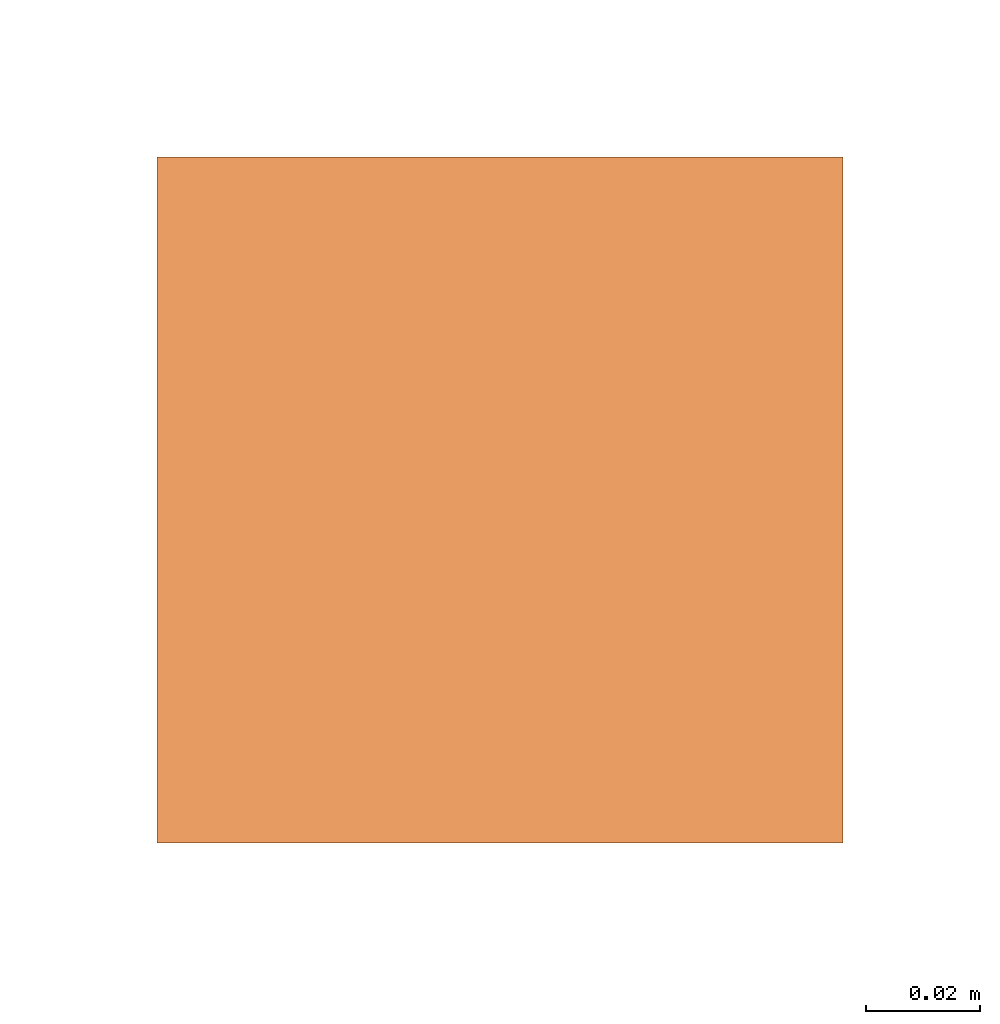
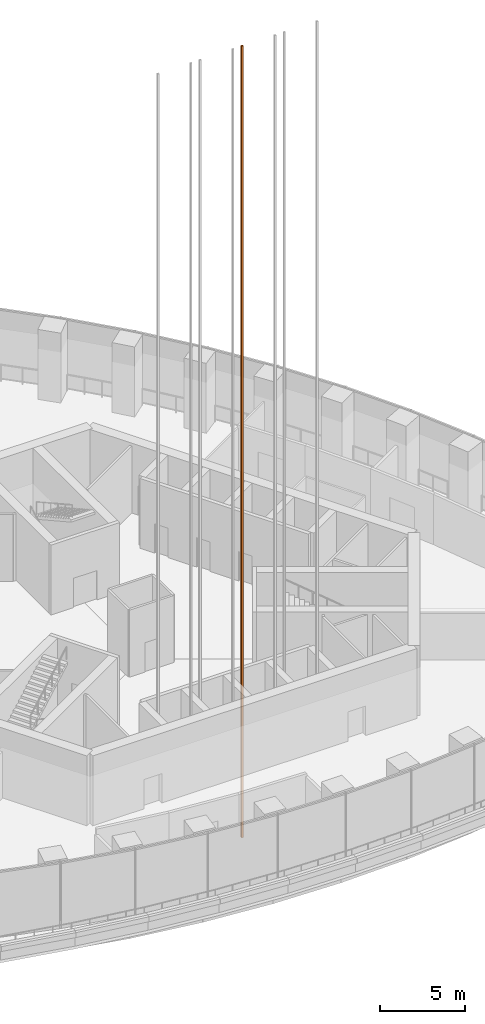
# One storey, part 23 of 26: 1 proxy.
"""IFC4 building model written with IfcOpenShell, lengths in metres."""

import ifcopenshell
import ifcopenshell.guid

model = None  # the IFC model being written
_history = None  # IfcOwnerHistory: only IFC2X3 demands one
_inside = {}  # id of a spatial element -> (the spatial element, [elements in it])
_under = {}  # id of a project, library or spatial element -> (it, [spatial elements below it])
_declared = {}  # id of a project -> (the project, [libraries it declares])
_typed = {}  # id of a type object -> (the type object, [elements of that type])
_made_of = {}  # id of a material, layer set ... -> (it, [elements and type objects made of it])


def new_model(schema):
    """Start an empty IFC model of exactly this schema.

    Asked for "IFC4X3", IfcOpenShell would pick the latest addendum, in which some entities
    have other attributes; the version numbers below select the first issue.
    IFC2X3 requires an IfcOwnerHistory on every rooted entity: one is made here for all.
    """
    global model, _history
    if schema == "IFC4X3":
        model = ifcopenshell.file(schema_version=(4, 3, 0, 0))
    else:
        model = ifcopenshell.file(schema=schema)
    _inside.clear()
    _under.clear()
    _declared.clear()
    _typed.clear()
    _made_of.clear()
    _history = None
    if model.schema == "IFC2X3":
        org = make("IfcOrganization", Name="unknown")
        user = make(
            "IfcPersonAndOrganization",
            ThePerson=make("IfcPerson", FamilyName="unknown"),
            TheOrganization=org,
        )
        app = make(
            "IfcApplication",
            ApplicationDeveloper=org,
            Version="unknown",
            ApplicationFullName="unknown",
            ApplicationIdentifier="unknown",
        )
        _history = make(
            "IfcOwnerHistory",
            OwningUser=user,
            OwningApplication=app,
            ChangeAction="ADDED",
            CreationDate=0,
        )
    return model


def make(cls, **values):
    """One entity of the class cls with the attributes given. An attribute that is None is left unset."""
    return model.create_entity(
        cls, **{name: value for name, value in values.items() if value is not None}
    )


def rooted(cls, **values):
    """An entity with a GlobalId (a new one), such as an element, a storey or a relation."""
    return make(cls, GlobalId=ifcopenshell.guid.new(), OwnerHistory=_history, **values)


def si_unit(unit_type, name, prefix=None):
    """IfcSIUnit, for example si_unit("LENGTHUNIT", "METRE", prefix="MILLI")."""
    return make("IfcSIUnit", UnitType=unit_type, Prefix=prefix, Name=name)


def assignment(units):
    """IfcUnitAssignment: the units of a project."""
    return None if units is None else make("IfcUnitAssignment", Units=units)


def point(xyz):
    """IfcCartesianPoint."""
    return None if xyz is None else make("IfcCartesianPoint", Coordinates=xyz)


def direction(xyz):
    """IfcDirection."""
    return None if xyz is None else make("IfcDirection", DirectionRatios=xyz)


def frame(location, z_axis=None, x_axis=None):
    """IfcAxis2Placement3D, a coordinate frame: its origin and axes. An axis left out is left unset."""
    return make(
        "IfcAxis2Placement3D",
        Location=point(location),
        Axis=direction(z_axis),
        RefDirection=direction(x_axis),
    )


def frame_2d(location, x_axis=None):
    """IfcAxis2Placement2D, a coordinate frame in the plane: its origin and x axis."""
    return make(
        "IfcAxis2Placement2D", Location=point(location), RefDirection=direction(x_axis)
    )


def origin():
    """The frame at (0, 0, 0) with its axes left unset."""
    return frame((0.0, 0.0, 0.0))


def origin_2d():
    """The frame at (0, 0) in the plane with its x axis left unset."""
    return frame_2d((0.0, 0.0))


def place(relative_to, where):
    """IfcLocalPlacement: puts the frame where relative to a parent placement (None: the world)."""
    return make(
        "IfcLocalPlacement", PlacementRelTo=relative_to, RelativePlacement=where
    )


def context(
    kind, dimensions, precision=None, world=None, true_north=None, identifier=None
):
    """IfcGeometricRepresentationContext, for example the 3D "Model" context."""
    return make(
        "IfcGeometricRepresentationContext",
        ContextIdentifier=identifier,
        ContextType=kind,
        CoordinateSpaceDimension=dimensions,
        Precision=precision,
        WorldCoordinateSystem=world,
        TrueNorth=true_north,
    )


def subcontext(parent, identifier, kind, view, scale=None):
    """IfcGeometricRepresentationSubContext, for example "Body" below "Model"."""
    return make(
        "IfcGeometricRepresentationSubContext",
        ContextIdentifier=identifier,
        ContextType=kind,
        ParentContext=parent,
        TargetScale=scale,
        TargetView=view,
    )


def project(units=None, contexts=None):
    """IfcProject with its units and contexts."""
    return rooted(
        "IfcProject",
        Name="project",
        RepresentationContexts=contexts,
        UnitsInContext=assignment(units),
    )


def spatial(cls, under=None, at=None, **own):
    """A site, building, storey or space (cls), placed at a placement, below another one or the project."""
    s = rooted(cls, ObjectPlacement=at, **own)
    if under is not None:
        _under.setdefault(under.id(), (under, []))[1].append(s)
    return s


def profile(cls, at=None, kind="AREA", **sizes):
    """A parametric profile (cls). Its sizes go by their IFC names, for example OverallWidth=200.0."""
    return make(cls, ProfileType=kind, Position=at, **sizes)


def rectangle(**sizes):
    """IfcRectangleProfileDef."""
    return profile("IfcRectangleProfileDef", **sizes)


def extrude(swept, where, along, depth):
    """IfcExtrudedAreaSolid: the profile swept, set in the frame where, extruded along a direction by depth."""
    return make(
        "IfcExtrudedAreaSolid",
        SweptArea=swept,
        Position=where,
        ExtrudedDirection=direction(along),
        Depth=depth,
    )


def shape(context_of_items, identifier, shape_type, items):
    """IfcShapeRepresentation: the items that make up one representation, for example the "Body"."""
    return make(
        "IfcShapeRepresentation",
        ContextOfItems=context_of_items,
        RepresentationIdentifier=identifier,
        RepresentationType=shape_type,
        Items=items,
    )


def made_of(thing, what):
    """Note that an element or type object is made of a material, layer set ...; save() writes the relation."""
    if what is not None:
        _made_of.setdefault(what.id(), (what, []))[1].append(thing)
    return thing


def element(
    cls,
    number,
    at=None,
    inside=None,
    cuts=None,
    type_object=None,
    material=None,
    context=None,
    identifier="Body",
    shape_type=None,
    held_by="IfcProductDefinitionShape",
    body=None,
    shapes=None,
    **own,
):
    """One element of the class cls, such as IfcWall. Its Tag is "e" and its number.

    at: its placement. inside: the storey or other place that contains it. cuts: it is an
    opening in that element (IfcRelVoidsElement). A single representation is given by context,
    identifier, shape_type and body (its items); several are given by shapes. held_by: the class
    of the entity that holds the representations. save() writes the other relations.
    """
    e = rooted(cls, Tag="e%d" % number, ObjectPlacement=at, **own)
    if body is not None:
        shapes = [shape(context, identifier, shape_type, body)]
    if shapes is not None:
        e.Representation = make(held_by, Representations=shapes)
    if inside is not None:
        _inside.setdefault(inside.id(), (inside, []))[1].append(e)
    if cuts is not None:
        rooted(
            "IfcRelVoidsElement", RelatingBuildingElement=cuts, RelatedOpeningElement=e
        )
    if type_object is not None:
        _typed.setdefault(type_object.id(), (type_object, []))[1].append(e)
    return made_of(e, material)


def aggregate(whole, parts):
    """IfcRelAggregates: a whole, such as a stair, and the parts it consists of."""
    return rooted("IfcRelAggregates", RelatingObject=whole, RelatedObjects=parts)


def save(model, path):
    """Write the relations noted so far, then the file.

    IfcRelAggregates (storeys below a building ...), IfcRelContainedInSpatialStructure (elements
    in a storey), IfcRelDefinesByType, IfcRelAssociatesMaterial and IfcRelDeclares: one each for
    every whole, place, type object, material and project.
    """
    for whole, parts in _under.values():
        aggregate(whole, parts)
    for where, things in _inside.values():
        rooted(
            "IfcRelContainedInSpatialStructure",
            RelatedElements=things,
            RelatingStructure=where,
        )
    for kind, things in _typed.values():
        rooted("IfcRelDefinesByType", RelatedObjects=things, RelatingType=kind)
    for what, things in _made_of.values():
        rooted("IfcRelAssociatesMaterial", RelatedObjects=things, RelatingMaterial=what)
    for by, libraries in _declared.values():
        rooted("IfcRelDeclares", RelatingContext=by, RelatedDefinitions=libraries)
    model.write(path)


model = new_model("IFC4")

# Units and contexts
model_context = context("Model", 3, precision=1e-05, world=origin(), true_north=direction((0.0, 1.0)))
body_context = subcontext(model_context, "Body", "Model", "MODEL_VIEW")
ifc_project = project(units=[si_unit("LENGTHUNIT", "METRE"), si_unit("AREAUNIT", "SQUARE_METRE"), si_unit("VOLUMEUNIT", "CUBIC_METRE"), si_unit("PLANEANGLEUNIT", "RADIAN"), si_unit("MASSUNIT", "GRAM", prefix="KILO")], contexts=[model_context])

# Site, building, storey
site_placement = place(None, origin())
site = spatial("IfcSite", under=ifc_project, at=site_placement, CompositionType="ELEMENT")
building_placement = place(site_placement, origin())
building = spatial("IfcBuilding", under=site, at=building_placement, Name="Trefoil Bronze Tower", CompositionType="ELEMENT")
storey_placement = place(building_placement, frame((0.0, 0.0, 271.300048828125)))
storey = spatial("IfcBuildingStorey", under=building, at=storey_placement, Name="L62", CompositionType="ELEMENT", Elevation=271.300048828125)

# Proxy
proxy_placement = place(storey_placement, frame((0.31494140625, -11.3125, -6.0), z_axis=(0.0, 0.0, 1.0), x_axis=(1.0, 0.0, 0.0)))
element("IfcBuildingElementProxy", 1, at=proxy_placement, inside=storey, Name="Lift P43 guide rail 1", ObjectType="LIFT GUIDE RAIL", PredefinedType="USERDEFINED", context=body_context, shape_type="SweptSolid", body=[
    extrude(rectangle(XDim=0.1201171875, YDim=0.1201171875, at=origin_2d()), origin(), (0.0, 0.0, 1.0), 56.64990234375),
])

save(model, "model.ifc")
